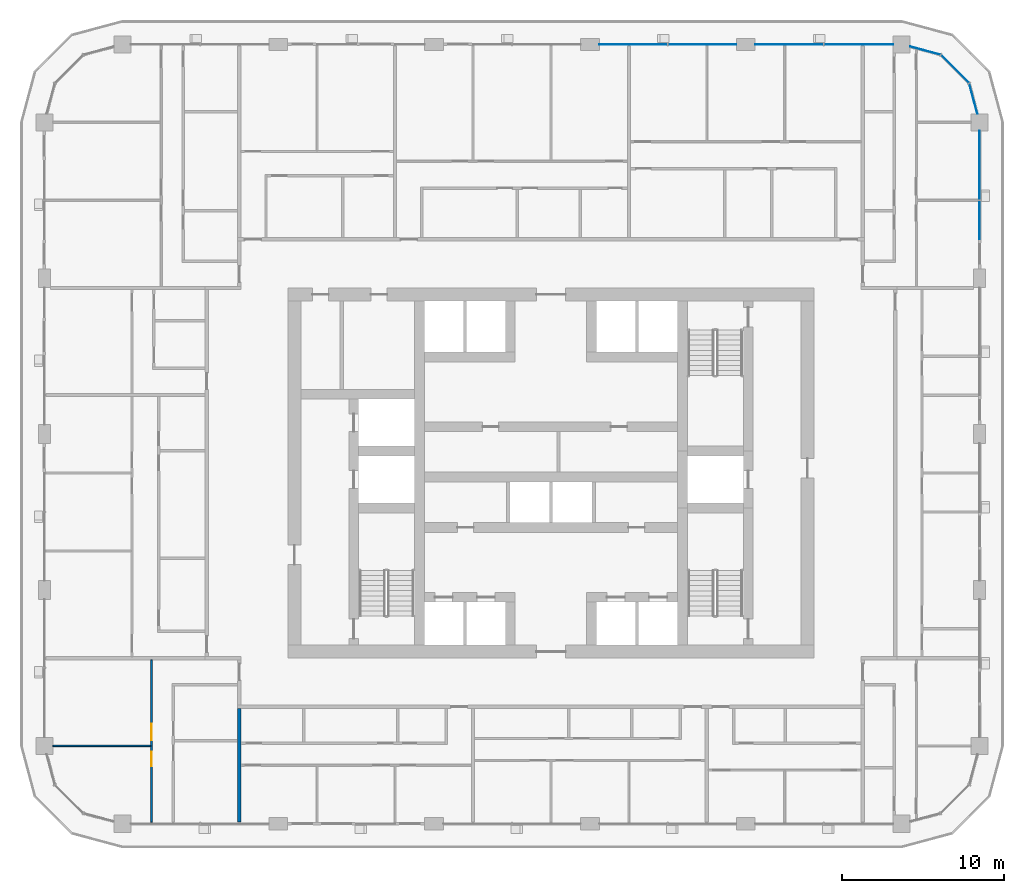
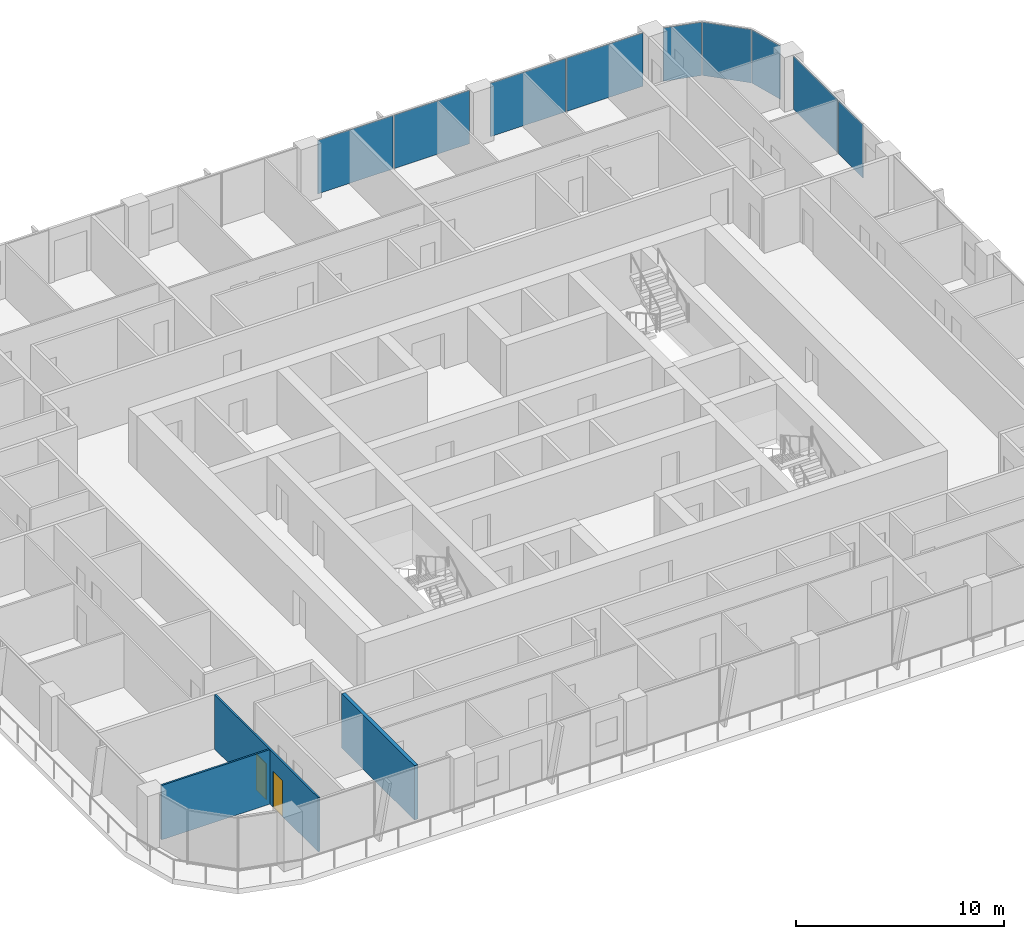
# One storey, part 8 of 22: 9 plates, 3 walls, 2 doors, 2 openings, 4 elements without a shape of their own.
"""IFC4 building model written with IfcOpenShell, lengths in metres."""

from ifc_helpers import new_model, si_unit, direction, frame, frame_2d, origin, origin_2d, place, context, subcontext, project, spatial, rectangle, extrude, material, layer, layer_set, type_object, element, fill, aggregate, save


model = new_model("IFC4")

# Units and contexts
model_context = context("Model", 3, precision=1e-05, world=origin(), true_north=direction((0.0, 1.0)))
body_context = subcontext(model_context, "Body", "Model", "MODEL_VIEW")
ifc_project = project(units=[si_unit("LENGTHUNIT", "METRE"), si_unit("AREAUNIT", "SQUARE_METRE"), si_unit("VOLUMEUNIT", "CUBIC_METRE"), si_unit("PLANEANGLEUNIT", "RADIAN"), si_unit("MASSUNIT", "GRAM", prefix="KILO")], contexts=[model_context])

# Site, building, storey
site_placement = place(None, origin())
site = spatial("IfcSite", under=ifc_project, at=site_placement, CompositionType="ELEMENT")
building_placement = place(site_placement, origin())
building = spatial("IfcBuilding", under=site, at=building_placement, Name="Madar Terraces", CompositionType="ELEMENT")
storey_placement = place(building_placement, frame((0.0, 0.0, 129.60009765625)))
storey = spatial("IfcBuildingStorey", under=building, at=storey_placement, Name="L33", CompositionType="ELEMENT", Elevation=129.60009765625)

# Curtain wall, plates
ifc_material_1 = material(Name="Glass, ceramic frit dark grey, with black aluminium frame", Category="aluminium")
ifc_layer_1 = layer(ifc_material_1, 0.199951171875)
ifc_layer_set_1 = layer_set([ifc_layer_1], Name="Facade curtain wall, fritted glass")
curtain_wall_type = type_object("IfcCurtainWallType", Name="Facade curtain wall, fritted glass", PredefinedType="NOTDEFINED", material=ifc_layer_set_1)
curtain_wall_1_placement = place(storey_placement, origin())
curtain_wall_1 = element("IfcCurtainWall", 1, at=curtain_wall_1_placement, inside=storey, type_object=curtain_wall_type, Name="Outer skin curtain wall east bay 4", PredefinedType="NOTDEFINED")
ifc_material_2 = material(Name="Glass, ceramic frit dark grey", Category="glass")
ifc_layer_2 = layer(ifc_material_2, 0.028076171875)
ifc_layer_set_2 = layer_set([ifc_layer_2], Name="Facade glass panel 28")
plate_type = type_object("IfcPlateType", Name="Facade glass panel 28", PredefinedType="CURTAIN_PANEL", material=ifc_layer_set_2)
plate_1_placement = place(storey_placement, frame((57.60009765625, 41.985107421875, 0.0), z_axis=(0.0, 0.0, 1.0), x_axis=(0.0, 1.0, 0.0)))
plate_1 = element("IfcPlate", 2, at=plate_1_placement, type_object=plate_type, Name="Panel 1", PredefinedType="CURTAIN_PANEL", context=body_context, shape_type="SweptSolid", body=[
    extrude(rectangle(XDim=2.3701171875, YDim=0.028076171875, at=origin_2d()), origin(), (0.0, 0.0, 1.0), 3.139892578125),
])
plate_2_placement = place(storey_placement, frame((57.60009765625, 45.3525390625, 0.0), z_axis=(0.0, 0.0, 1.0), x_axis=(0.0, 1.0, 0.0)))
plate_2 = element("IfcPlate", 3, at=plate_2_placement, type_object=plate_type, Name="Panel 2", PredefinedType="CURTAIN_PANEL", context=body_context, shape_type="SweptSolid", body=[
    extrude(rectangle(XDim=4.2451171875, YDim=0.028076171875, at=origin_2d()), origin(), (0.0, 0.0, 1.0), 3.139892578125),
])
aggregate(curtain_wall_1, [plate_1, plate_2])

curtain_wall_2_placement = place(storey_placement, origin())
curtain_wall_2 = element("IfcCurtainWall", 4, at=curtain_wall_2_placement, inside=storey, type_object=curtain_wall_type, Name="Outer skin curtain wall north bay 1", PredefinedType="NOTDEFINED")
plate_3_placement = place(storey_placement, frame((50.152587890625, 52.800048828125, 0.0), z_axis=(0.0, 0.0, 1.0), x_axis=(-1.0, 0.0, 0.0)))
plate_3 = element("IfcPlate", 5, at=plate_3_placement, type_object=plate_type, Name="Panel 1", PredefinedType="CURTAIN_PANEL", context=body_context, shape_type="SweptSolid", body=[
    extrude(rectangle(XDim=4.2451171875, YDim=0.028076171875, at=origin_2d()), origin(), (0.0, 0.0, 1.0), 3.139892578125),
])
plate_4_placement = place(storey_placement, frame((45.87255859375, 52.800048828125, 0.0), z_axis=(0.0, 0.0, 1.0), x_axis=(-1.0, 0.0, 0.0)))
plate_4 = element("IfcPlate", 6, at=plate_4_placement, type_object=plate_type, Name="Panel 2", PredefinedType="CURTAIN_PANEL", context=body_context, shape_type="SweptSolid", body=[
    extrude(rectangle(XDim=4.195068359375, YDim=0.028076171875, at=origin_2d()), origin(), (0.0, 0.0, 1.0), 3.139892578125),
])
aggregate(curtain_wall_2, [plate_3, plate_4])

curtain_wall_3_placement = place(storey_placement, origin())
curtain_wall_3 = element("IfcCurtainWall", 7, at=curtain_wall_3_placement, inside=storey, type_object=curtain_wall_type, Name="Outer skin curtain wall north bay 2", PredefinedType="NOTDEFINED")
plate_5_placement = place(storey_placement, frame((40.527587890625, 52.800048828125, 0.0), z_axis=(0.0, 0.0, 1.0), x_axis=(-1.0, 0.0, 0.0)))
plate_5 = element("IfcPlate", 8, at=plate_5_placement, type_object=plate_type, Name="Panel 1", PredefinedType="CURTAIN_PANEL", context=body_context, shape_type="SweptSolid", body=[
    extrude(rectangle(XDim=4.195068359375, YDim=0.028076171875, at=origin_2d()), origin(), (0.0, 0.0, 1.0), 3.139892578125),
])
plate_6_placement = place(storey_placement, frame((36.2724609375, 52.800048828125, 0.0), z_axis=(0.0, 0.0, 1.0), x_axis=(-1.0, 0.0, 0.0)))
plate_6 = element("IfcPlate", 9, at=plate_6_placement, type_object=plate_type, Name="Panel 2", PredefinedType="CURTAIN_PANEL", context=body_context, shape_type="SweptSolid", body=[
    extrude(rectangle(XDim=4.195068359375, YDim=0.028076171875, at=origin_2d()), origin(), (0.0, 0.0, 1.0), 3.139892578125),
])
aggregate(curtain_wall_3, [plate_5, plate_6])

curtain_wall_4_placement = place(storey_placement, origin())
curtain_wall_4 = element("IfcCurtainWall", 10, at=curtain_wall_4_placement, inside=storey, type_object=curtain_wall_type, Name="Outer skin curtain wall north-east corner", PredefinedType="NOTDEFINED")
plate_7_placement = place(storey_placement, frame((57.2119140625, 49.447998046875, 0.0), z_axis=(0.0, 0.0, 1.0), x_axis=(-0.258819021888, 0.965925832509, 0.0)))
plate_7 = element("IfcPlate", 11, at=plate_7_placement, type_object=plate_type, Name="Panel 1", PredefinedType="CURTAIN_PANEL", context=body_context, shape_type="SweptSolid", body=[
    extrude(rectangle(XDim=1.9111328125, YDim=0.028076171875, at=origin_2d()), origin(), (0.0, 0.0, 1.0), 3.139892578125),
])
plate_8_placement = place(storey_placement, frame((56.078369140625, 51.278564453125, 0.0), z_axis=(0.0, 0.0, 1.0), x_axis=(-0.707106781187, 0.707106781187, 0.0)))
plate_8 = element("IfcPlate", 12, at=plate_8_placement, type_object=plate_type, Name="Panel 2", PredefinedType="CURTAIN_PANEL", context=body_context, shape_type="SweptSolid", body=[
    extrude(rectangle(XDim=2.424560546875, YDim=0.028076171875, at=origin_2d()), origin(), (0.0, 0.0, 1.0), 3.139892578125),
])
plate_9_placement = place(storey_placement, frame((54.248046875, 52.412109375, 0.0), z_axis=(0.0, 0.0, 1.0), x_axis=(-0.965925832509, 0.258819021888, 0.0)))
plate_9 = element("IfcPlate", 13, at=plate_9_placement, type_object=plate_type, Name="Panel 3", PredefinedType="CURTAIN_PANEL", context=body_context, shape_type="SweptSolid", body=[
    extrude(rectangle(XDim=1.9111328125, YDim=0.028076171875, at=origin_2d()), origin(), (0.0, 0.0, 1.0), 3.139892578125),
])
aggregate(curtain_wall_4, [plate_7, plate_8, plate_9])

# Wall
ifc_material_3 = material(Name="Gypsum board on steel studs", Category="steel")
ifc_layer_3 = layer(ifc_material_3, 0.10009765625)
ifc_layer_set_3 = layer_set([ifc_layer_3], Name="Flat partition 100")
wall_type_1 = type_object("IfcWallType", Name="Flat partition 100", PredefinedType="PARTITIONING", material=ifc_layer_set_3)
wall_1_placement = place(storey_placement, frame((6.550048828125, 9.60009765625, 0.0), z_axis=(0.0, 0.0, 1.0), x_axis=(-1.0, 0.0, 0.0)))
element("IfcWall", 14, at=wall_1_placement, inside=storey, type_object=wall_type_1, Name="Flat partition 100", PredefinedType="PARTITIONING", context=body_context, shape_type="SweptSolid", body=[
    extrude(rectangle(XDim=6.025146484375, YDim=0.10009765625, at=frame_2d((3.0126953125, 0.0))), origin(), (0.0, 0.0, 1.0), 3.199951171875),
])

# Wall, openings, doors
wall_2_placement = place(storey_placement, frame((6.60009765625, 4.89990234375, 0.0), z_axis=(0.0, 0.0, 1.0), x_axis=(0.0, 1.0, 0.0)))
wall_2 = element("IfcWall", 15, at=wall_2_placement, inside=storey, type_object=wall_type_1, Name="Flat partition 100", PredefinedType="PARTITIONING", context=body_context, shape_type="SweptSolid", body=[
    extrude(rectangle(XDim=10.0, YDim=0.10009765625, at=frame_2d((5.0, 0.0))), origin(), (0.0, 0.0, 1.0), 3.199951171875),
])
opening_1_placement = place(wall_2_placement, frame((5.050048828125, 0.0, 0.0)))
opening_1 = element("IfcOpeningElement", 16, at=opening_1_placement, cuts=wall_2, Name="Opening D3", PredefinedType="OPENING", context=body_context, shape_type="SweptSolid", body=[
    extrude(rectangle(XDim=1.0, YDim=2.10009765625, at=frame_2d((0.5, 1.050048828125))), frame((0.0, 0.06005859375, 0.0), z_axis=(0.0, -1.0, 0.0), x_axis=(1.0, 0.0, 0.0)), (0.0, 0.0, 1.0), 0.1201171875),
])
opening_2_placement = place(wall_2_placement, frame((3.449951171875, 0.0, 0.0)))
opening_2 = element("IfcOpeningElement", 17, at=opening_2_placement, cuts=wall_2, Name="Opening D2", PredefinedType="OPENING", context=body_context, shape_type="SweptSolid", body=[
    extrude(rectangle(XDim=0.89990234375, YDim=2.10009765625, at=frame_2d((0.449951171875, 1.050048828125))), frame((0.0, 0.06005859375, 0.0), z_axis=(0.0, -1.0, 0.0), x_axis=(1.0, 0.0, 0.0)), (0.0, 0.0, 1.0), 0.1201171875),
])
ifc_material_4 = material(Name="Timber door leaf", Category="wood")
door_type_1 = type_object("IfcDoorType", Name="Flat living room door 1000", OperationType="NOTDEFINED", PredefinedType="DOOR", material=ifc_material_4)
door_1_placement = place(opening_1_placement, origin())
door_1 = element("IfcDoor", 18, at=door_1_placement, inside=storey, type_object=door_type_1, Name="Flat living room door 1000", OperationType="SINGLE_SWING_LEFT", OverallHeight=2.10009765625, OverallWidth=1.0, PredefinedType="DOOR", context=body_context, shape_type="SweptSolid", body=[
    extrude(rectangle(XDim=1.0, YDim=2.10009765625, at=frame_2d((0.5, 1.050048828125))), frame((0.0, 0.02490234375, 0.0), z_axis=(0.0, -1.0, 0.0), x_axis=(1.0, 0.0, 0.0)), (0.0, 0.0, 1.0), 0.050048828125),
])
fill(opening_1, door_1)
ifc_material_5 = material(Name="Timber door leaf", Category="wood")
door_type_2 = type_object("IfcDoorType", Name="Flat room door 900", OperationType="NOTDEFINED", PredefinedType="DOOR", material=ifc_material_5)
door_2_placement = place(opening_2_placement, origin())
door_2 = element("IfcDoor", 19, at=door_2_placement, inside=storey, type_object=door_type_2, Name="Flat room door 900", OperationType="SINGLE_SWING_RIGHT", OverallHeight=2.10009765625, OverallWidth=0.89990234375, PredefinedType="DOOR", context=body_context, shape_type="SweptSolid", body=[
    extrude(rectangle(XDim=0.89990234375, YDim=2.10009765625, at=frame_2d((0.449951171875, 1.050048828125))), frame((0.0, 0.02490234375, 0.0), z_axis=(0.0, -1.0, 0.0), x_axis=(1.0, 0.0, 0.0)), (0.0, 0.0, 1.0), 0.050048828125),
])
fill(opening_2, door_2)

# Wall
ifc_material_6 = material(Name="Lightweight blockwork", Category="masonry")
ifc_layer_4 = layer(ifc_material_6, 0.199951171875)
ifc_layer_set_4 = layer_set([ifc_layer_4], Name="Flat party and entrance wall 200")
wall_type_2 = type_object("IfcWallType", Name="Flat party and entrance wall 200", PredefinedType="PARTITIONING", material=ifc_layer_set_4)
wall_3_placement = place(storey_placement, frame((12.0, 4.89990234375, 0.0), z_axis=(0.0, 0.0, 1.0), x_axis=(0.0, 1.0, 0.0)))
element("IfcWall", 20, at=wall_3_placement, inside=storey, type_object=wall_type_2, Name="Flat party and entrance wall 200", PredefinedType="PARTITIONING", context=body_context, shape_type="SweptSolid", body=[
    extrude(rectangle(XDim=7.0, YDim=0.199951171875, at=frame_2d((3.5, 0.0))), origin(), (0.0, 0.0, 1.0), 3.199951171875),
])

save(model, "model.ifc")
